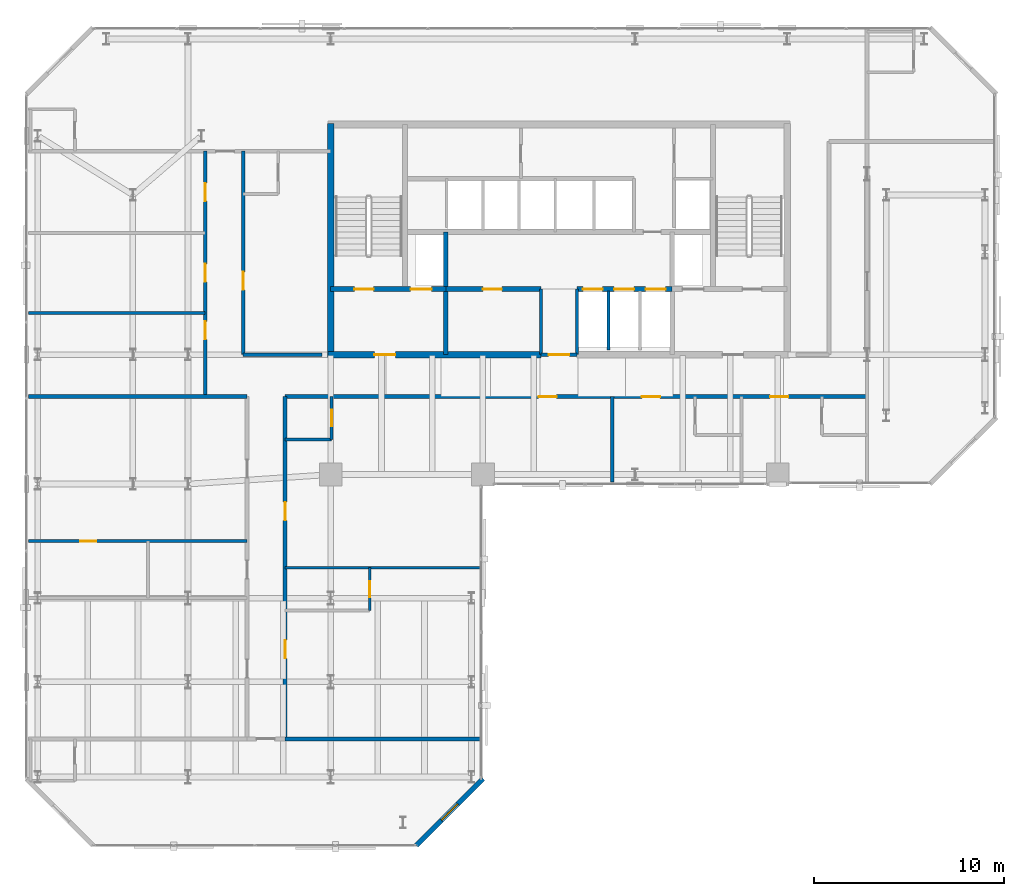
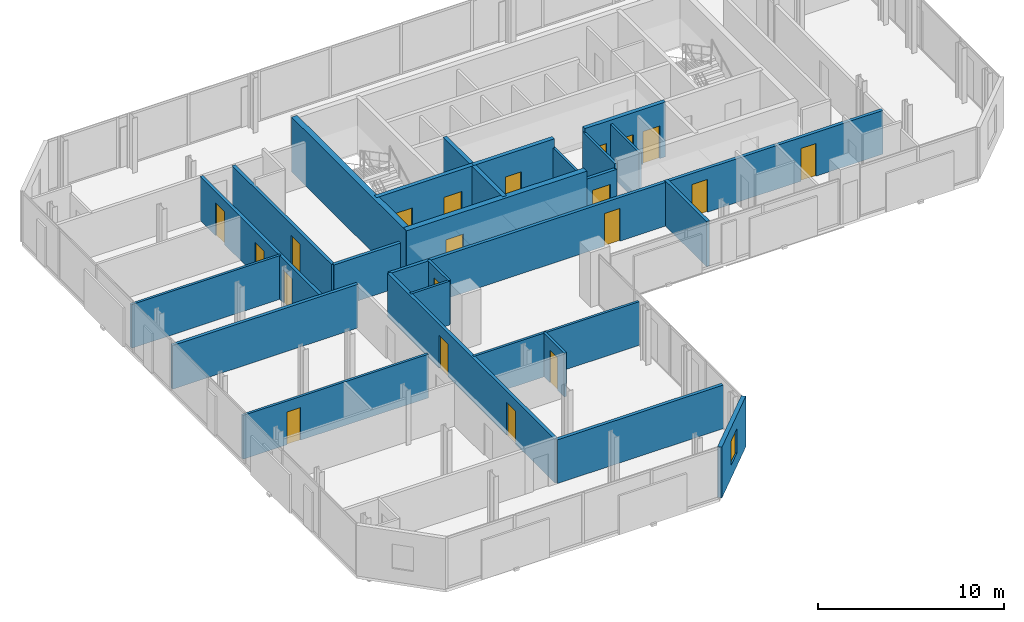
# One storey, part 28 of 33: 25 walls, 20 doors, 1 window, 21 openings.
"""IFC4 building model written with IfcOpenShell, lengths in metres."""

import ifcopenshell
import ifcopenshell.guid

model = None  # the IFC model being written
_history = None  # IfcOwnerHistory: only IFC2X3 demands one
_inside = {}  # id of a spatial element -> (the spatial element, [elements in it])
_under = {}  # id of a project, library or spatial element -> (it, [spatial elements below it])
_declared = {}  # id of a project -> (the project, [libraries it declares])
_typed = {}  # id of a type object -> (the type object, [elements of that type])
_made_of = {}  # id of a material, layer set ... -> (it, [elements and type objects made of it])


def new_model(schema):
    """Start an empty IFC model of exactly this schema.

    Asked for "IFC4X3", IfcOpenShell would pick the latest addendum, in which some entities
    have other attributes; the version numbers below select the first issue.
    IFC2X3 requires an IfcOwnerHistory on every rooted entity: one is made here for all.
    """
    global model, _history
    if schema == "IFC4X3":
        model = ifcopenshell.file(schema_version=(4, 3, 0, 0))
    else:
        model = ifcopenshell.file(schema=schema)
    _inside.clear()
    _under.clear()
    _declared.clear()
    _typed.clear()
    _made_of.clear()
    _history = None
    if model.schema == "IFC2X3":
        org = make("IfcOrganization", Name="unknown")
        user = make(
            "IfcPersonAndOrganization",
            ThePerson=make("IfcPerson", FamilyName="unknown"),
            TheOrganization=org,
        )
        app = make(
            "IfcApplication",
            ApplicationDeveloper=org,
            Version="unknown",
            ApplicationFullName="unknown",
            ApplicationIdentifier="unknown",
        )
        _history = make(
            "IfcOwnerHistory",
            OwningUser=user,
            OwningApplication=app,
            ChangeAction="ADDED",
            CreationDate=0,
        )
    return model


def make(cls, **values):
    """One entity of the class cls with the attributes given. An attribute that is None is left unset."""
    return model.create_entity(
        cls, **{name: value for name, value in values.items() if value is not None}
    )


def rooted(cls, **values):
    """An entity with a GlobalId (a new one), such as an element, a storey or a relation."""
    return make(cls, GlobalId=ifcopenshell.guid.new(), OwnerHistory=_history, **values)


def si_unit(unit_type, name, prefix=None):
    """IfcSIUnit, for example si_unit("LENGTHUNIT", "METRE", prefix="MILLI")."""
    return make("IfcSIUnit", UnitType=unit_type, Prefix=prefix, Name=name)


def assignment(units):
    """IfcUnitAssignment: the units of a project."""
    return None if units is None else make("IfcUnitAssignment", Units=units)


def point(xyz):
    """IfcCartesianPoint."""
    return None if xyz is None else make("IfcCartesianPoint", Coordinates=xyz)


def direction(xyz):
    """IfcDirection."""
    return None if xyz is None else make("IfcDirection", DirectionRatios=xyz)


def frame(location, z_axis=None, x_axis=None):
    """IfcAxis2Placement3D, a coordinate frame: its origin and axes. An axis left out is left unset."""
    return make(
        "IfcAxis2Placement3D",
        Location=point(location),
        Axis=direction(z_axis),
        RefDirection=direction(x_axis),
    )


def frame_2d(location, x_axis=None):
    """IfcAxis2Placement2D, a coordinate frame in the plane: its origin and x axis."""
    return make(
        "IfcAxis2Placement2D", Location=point(location), RefDirection=direction(x_axis)
    )


def origin():
    """The frame at (0, 0, 0) with its axes left unset."""
    return frame((0.0, 0.0, 0.0))


def place(relative_to, where):
    """IfcLocalPlacement: puts the frame where relative to a parent placement (None: the world)."""
    return make(
        "IfcLocalPlacement", PlacementRelTo=relative_to, RelativePlacement=where
    )


def context(
    kind, dimensions, precision=None, world=None, true_north=None, identifier=None
):
    """IfcGeometricRepresentationContext, for example the 3D "Model" context."""
    return make(
        "IfcGeometricRepresentationContext",
        ContextIdentifier=identifier,
        ContextType=kind,
        CoordinateSpaceDimension=dimensions,
        Precision=precision,
        WorldCoordinateSystem=world,
        TrueNorth=true_north,
    )


def subcontext(parent, identifier, kind, view, scale=None):
    """IfcGeometricRepresentationSubContext, for example "Body" below "Model"."""
    return make(
        "IfcGeometricRepresentationSubContext",
        ContextIdentifier=identifier,
        ContextType=kind,
        ParentContext=parent,
        TargetScale=scale,
        TargetView=view,
    )


def project(units=None, contexts=None):
    """IfcProject with its units and contexts."""
    return rooted(
        "IfcProject",
        Name="project",
        RepresentationContexts=contexts,
        UnitsInContext=assignment(units),
    )


def spatial(cls, under=None, at=None, **own):
    """A site, building, storey or space (cls), placed at a placement, below another one or the project."""
    s = rooted(cls, ObjectPlacement=at, **own)
    if under is not None:
        _under.setdefault(under.id(), (under, []))[1].append(s)
    return s


def profile(cls, at=None, kind="AREA", **sizes):
    """A parametric profile (cls). Its sizes go by their IFC names, for example OverallWidth=200.0."""
    return make(cls, ProfileType=kind, Position=at, **sizes)


def rectangle(**sizes):
    """IfcRectangleProfileDef."""
    return profile("IfcRectangleProfileDef", **sizes)


def extrude(swept, where, along, depth):
    """IfcExtrudedAreaSolid: the profile swept, set in the frame where, extruded along a direction by depth."""
    return make(
        "IfcExtrudedAreaSolid",
        SweptArea=swept,
        Position=where,
        ExtrudedDirection=direction(along),
        Depth=depth,
    )


def shape(context_of_items, identifier, shape_type, items):
    """IfcShapeRepresentation: the items that make up one representation, for example the "Body"."""
    return make(
        "IfcShapeRepresentation",
        ContextOfItems=context_of_items,
        RepresentationIdentifier=identifier,
        RepresentationType=shape_type,
        Items=items,
    )


def material(Name=None, Category=None):
    """IfcMaterial."""
    return make("IfcMaterial", Name=Name, Category=Category)


def layer(
    of_material, thickness, ventilated=None, Name=None, Category=None, Priority=None
):
    """IfcMaterialLayer: one layer of a wall or slab, of a material (None: an air gap)."""
    return make(
        "IfcMaterialLayer",
        Material=of_material,
        LayerThickness=thickness,
        IsVentilated=ventilated,
        Name=Name,
        Category=Category,
        Priority=Priority,
    )


def layer_set(layers, Name=None):
    """IfcMaterialLayerSet."""
    return make("IfcMaterialLayerSet", MaterialLayers=layers, LayerSetName=Name)


def made_of(thing, what):
    """Note that an element or type object is made of a material, layer set ...; save() writes the relation."""
    if what is not None:
        _made_of.setdefault(what.id(), (what, []))[1].append(thing)
    return thing


def type_object(cls, material=None, **own):
    """A type object (cls), such as IfcWallType, which elements share."""
    return made_of(rooted(cls, **own), material)


def element(
    cls,
    number,
    at=None,
    inside=None,
    cuts=None,
    type_object=None,
    material=None,
    context=None,
    identifier="Body",
    shape_type=None,
    held_by="IfcProductDefinitionShape",
    body=None,
    shapes=None,
    **own,
):
    """One element of the class cls, such as IfcWall. Its Tag is "e" and its number.

    at: its placement. inside: the storey or other place that contains it. cuts: it is an
    opening in that element (IfcRelVoidsElement). A single representation is given by context,
    identifier, shape_type and body (its items); several are given by shapes. held_by: the class
    of the entity that holds the representations. save() writes the other relations.
    """
    e = rooted(cls, Tag="e%d" % number, ObjectPlacement=at, **own)
    if body is not None:
        shapes = [shape(context, identifier, shape_type, body)]
    if shapes is not None:
        e.Representation = make(held_by, Representations=shapes)
    if inside is not None:
        _inside.setdefault(inside.id(), (inside, []))[1].append(e)
    if cuts is not None:
        rooted(
            "IfcRelVoidsElement", RelatingBuildingElement=cuts, RelatedOpeningElement=e
        )
    if type_object is not None:
        _typed.setdefault(type_object.id(), (type_object, []))[1].append(e)
    return made_of(e, material)


def fill(opening, filler):
    """IfcRelFillsElement: the door or window that sits in an opening."""
    return rooted(
        "IfcRelFillsElement",
        RelatingOpeningElement=opening,
        RelatedBuildingElement=filler,
    )


def aggregate(whole, parts):
    """IfcRelAggregates: a whole, such as a stair, and the parts it consists of."""
    return rooted("IfcRelAggregates", RelatingObject=whole, RelatedObjects=parts)


def save(model, path):
    """Write the relations noted so far, then the file.

    IfcRelAggregates (storeys below a building ...), IfcRelContainedInSpatialStructure (elements
    in a storey), IfcRelDefinesByType, IfcRelAssociatesMaterial and IfcRelDeclares: one each for
    every whole, place, type object, material and project.
    """
    for whole, parts in _under.values():
        aggregate(whole, parts)
    for where, things in _inside.values():
        rooted(
            "IfcRelContainedInSpatialStructure",
            RelatedElements=things,
            RelatingStructure=where,
        )
    for kind, things in _typed.values():
        rooted("IfcRelDefinesByType", RelatedObjects=things, RelatingType=kind)
    for what, things in _made_of.values():
        rooted("IfcRelAssociatesMaterial", RelatedObjects=things, RelatingMaterial=what)
    for by, libraries in _declared.values():
        rooted("IfcRelDeclares", RelatingContext=by, RelatedDefinitions=libraries)
    model.write(path)


model = new_model("IFC4")

# Units and contexts
model_context = context("Model", 3, precision=1e-05, world=origin(), true_north=direction((0.0, 1.0)))
body_context = subcontext(model_context, "Body", "Model", "MODEL_VIEW")
ifc_project = project(units=[si_unit("LENGTHUNIT", "METRE"), si_unit("AREAUNIT", "SQUARE_METRE"), si_unit("VOLUMEUNIT", "CUBIC_METRE"), si_unit("PLANEANGLEUNIT", "RADIAN"), si_unit("MASSUNIT", "GRAM", prefix="KILO")], contexts=[model_context])

# Site, building, storey
site_placement = place(None, origin())
site = spatial("IfcSite", under=ifc_project, at=site_placement, CompositionType="ELEMENT")
building_placement = place(site_placement, origin())
building = spatial("IfcBuilding", under=site, at=building_placement, Name="Catumbela Crestline Tower", CompositionType="ELEMENT")
storey_placement = place(building_placement, frame((0.0, 0.0, 118.8)))
storey = spatial("IfcBuildingStorey", under=building, at=storey_placement, Name="L30", CompositionType="ELEMENT", Elevation=118.8)

# Wall
ifc_material_1 = material(Name="Concrete C50/60", Category="concrete")
ifc_layer_1 = layer(ifc_material_1, 0.25, Name="Concrete C50/60")
ifc_layer_set_1 = layer_set([ifc_layer_1], Name="Concrete C50/60")
wall_type_1 = type_object("IfcWallType", Name="CW-250D", PredefinedType="SHEAR", material=ifc_layer_set_1)
wall_1_placement = place(storey_placement, frame((22.05, 30.8, 0.0), z_axis=(0.0, 0.0, 1.0), x_axis=(0.0, 1.0, 0.0)))
element("IfcWall", 1, at=wall_1_placement, inside=storey, type_object=wall_type_1, Name="L30 Structural Core Shear Wall FFW", PredefinedType="SHEAR", context=body_context, shape_type="SweptSolid", body=[
    extrude(rectangle(XDim=6.45, YDim=0.25, at=frame_2d((3.225, 0.0))), origin(), (0.0, 0.0, 1.0), 3.6),
])

# Wall, openings, doors
wall_2_placement = place(storey_placement, frame((16.0, 34.25, 0.0), z_axis=(0.0, 0.0, 1.0), x_axis=(1.0, 0.0, 0.0)))
wall_2 = element("IfcWall", 2, at=wall_2_placement, inside=storey, type_object=wall_type_1, Name="L30 Structural Core Shear Wall ST1S", PredefinedType="SHEAR", context=body_context, shape_type="SweptSolid", body=[
    extrude(rectangle(XDim=6.05, YDim=0.25, at=frame_2d((3.025, 0.0))), origin(), (0.0, 0.0, 1.0), 3.6),
])
opening_1_placement = place(wall_2_placement, frame((1.25, 0.0, 0.0)))
opening_1 = element("IfcOpeningElement", 3, at=opening_1_placement, cuts=wall_2, Name="Opening DF9-100", PredefinedType="OPENING", context=body_context, shape_type="SweptSolid", body=[
    extrude(rectangle(XDim=1.0, YDim=2.15, at=frame_2d((0.5, 1.075))), frame((0.0, 0.135, 0.0), z_axis=(0.0, -1.0, 0.0), x_axis=(1.0, 0.0, 0.0)), (0.0, 0.0, 1.0), 0.27),
])
opening_2_placement = place(wall_2_placement, frame((4.2, 0.0, 0.0)))
opening_2 = element("IfcOpeningElement", 4, at=opening_2_placement, cuts=wall_2, Name="Opening LD-110", PredefinedType="OPENING", context=body_context, shape_type="SweptSolid", body=[
    extrude(rectangle(XDim=1.1, YDim=2.15, at=frame_2d((0.55, 1.075))), frame((0.0, 0.135, 0.0), z_axis=(0.0, -1.0, 0.0), x_axis=(1.0, 0.0, 0.0)), (0.0, 0.0, 1.0), 0.27),
])
ifc_material_2 = material(Name="Stainless steel EN 1.4401", Category="steel")
door_type_1 = type_object("IfcDoorType", Name="DF9-100", OperationType="NOTDEFINED", PredefinedType="DOOR", material=ifc_material_2)
door_1_placement = place(opening_1_placement, origin())
door_1 = element("IfcDoor", 5, at=door_1_placement, inside=storey, type_object=door_type_1, Name="L30 Interior Door DR-L30-ST01", OperationType="SINGLE_SWING_LEFT", OverallHeight=2.15, OverallWidth=1.0, PredefinedType="DOOR", context=body_context, shape_type="SweptSolid", body=[
    extrude(rectangle(XDim=1.0, YDim=2.15, at=frame_2d((0.5, 1.075))), frame((0.0, 0.025, 0.0), z_axis=(0.0, -1.0, 0.0), x_axis=(1.0, 0.0, 0.0)), (0.0, 0.0, 1.0), 0.05),
])
fill(opening_1, door_1)
door_type_2 = type_object("IfcDoorType", Name="LD-110", OperationType="NOTDEFINED", PredefinedType="DOOR", material=ifc_material_2)
door_2_placement = place(opening_2_placement, origin())
door_2 = element("IfcDoor", 6, at=door_2_placement, inside=storey, type_object=door_type_2, Name="L30 Lift Landing Sliding Door FL-01", OperationType="DOUBLE_DOOR_SLIDING", OverallHeight=2.15, OverallWidth=1.1, PredefinedType="DOOR", context=body_context, shape_type="SweptSolid", body=[
    extrude(rectangle(XDim=1.1, YDim=2.15, at=frame_2d((0.55, 1.075))), frame((0.0, 0.025, 0.0), z_axis=(0.0, -1.0, 0.0), x_axis=(1.0, 0.0, 0.0)), (0.0, 0.0, 1.0), 0.05),
])
fill(opening_2, door_2)

# Wall, opening, door
wall_3_placement = place(storey_placement, frame((22.05, 34.25, 0.0), z_axis=(0.0, 0.0, 1.0), x_axis=(1.0, 0.0, 0.0)))
wall_3 = element("IfcWall", 7, at=wall_3_placement, inside=storey, type_object=wall_type_1, Name="L30 Structural Core Shear Wall LIFTS-W", PredefinedType="SHEAR", context=body_context, shape_type="SweptSolid", body=[
    extrude(rectangle(XDim=5.0, YDim=0.25, at=frame_2d((2.5, 0.0))), origin(), (0.0, 0.0, 1.0), 3.6),
])
opening_3_placement = place(wall_3_placement, frame((1.95, 0.0, 0.0)))
opening_3 = element("IfcOpeningElement", 8, at=opening_3_placement, cuts=wall_3, Name="Opening DF9-100", PredefinedType="OPENING", context=body_context, shape_type="SweptSolid", body=[
    extrude(rectangle(XDim=1.0, YDim=2.15, at=frame_2d((0.5, 1.075))), frame((0.0, 0.135, 0.0), z_axis=(0.0, -1.0, 0.0), x_axis=(1.0, 0.0, 0.0)), (0.0, 0.0, 1.0), 0.27),
])
door_3_placement = place(opening_3_placement, origin())
door_3 = element("IfcDoor", 9, at=door_3_placement, inside=storey, type_object=door_type_1, Name="L30 Interior Door DR-L30-RECL1", OperationType="SINGLE_SWING_LEFT", OverallHeight=2.15, OverallWidth=1.0, PredefinedType="DOOR", context=body_context, shape_type="SweptSolid", body=[
    extrude(rectangle(XDim=1.0, YDim=2.15, at=frame_2d((0.5, 1.075))), frame((0.0, 0.025, 0.0), z_axis=(0.0, -1.0, 0.0), x_axis=(1.0, 0.0, 0.0)), (0.0, 0.0, 1.0), 0.05),
])
fill(opening_3, door_3)

# Wall, openings, doors
wall_4_placement = place(storey_placement, frame((28.95, 34.25, 0.0), z_axis=(0.0, 0.0, 1.0), x_axis=(1.0, 0.0, 0.0)))
wall_4 = element("IfcWall", 10, at=wall_4_placement, inside=storey, type_object=wall_type_1, Name="L30 Structural Core Shear Wall LIFTS-E", PredefinedType="SHEAR", context=body_context, shape_type="SweptSolid", body=[
    extrude(rectangle(XDim=5.0, YDim=0.25, at=frame_2d((2.5, 0.0))), origin(), (0.0, 0.0, 1.0), 3.6),
])
opening_4_placement = place(wall_4_placement, frame((0.3, 0.0, 0.0)))
opening_4 = element("IfcOpeningElement", 11, at=opening_4_placement, cuts=wall_4, Name="Opening LD-105", PredefinedType="OPENING", context=body_context, shape_type="SweptSolid", body=[
    extrude(rectangle(XDim=1.05, YDim=2.15, at=frame_2d((0.525, 1.075))), frame((0.0, 0.135, 0.0), z_axis=(0.0, -1.0, 0.0), x_axis=(1.0, 0.0, 0.0)), (0.0, 0.0, 1.0), 0.27),
])
opening_5_placement = place(wall_4_placement, frame((1.95, 0.0, 0.0)))
opening_5 = element("IfcOpeningElement", 12, at=opening_5_placement, cuts=wall_4, Name="Opening LD-105", PredefinedType="OPENING", context=body_context, shape_type="SweptSolid", body=[
    extrude(rectangle(XDim=1.05, YDim=2.15, at=frame_2d((0.525, 1.075))), frame((0.0, 0.135, 0.0), z_axis=(0.0, -1.0, 0.0), x_axis=(1.0, 0.0, 0.0)), (0.0, 0.0, 1.0), 0.27),
])
opening_6_placement = place(wall_4_placement, frame((3.6, 0.0, 0.0)))
opening_6 = element("IfcOpeningElement", 13, at=opening_6_placement, cuts=wall_4, Name="Opening LD-105", PredefinedType="OPENING", context=body_context, shape_type="SweptSolid", body=[
    extrude(rectangle(XDim=1.05, YDim=2.15, at=frame_2d((0.525, 1.075))), frame((0.0, 0.135, 0.0), z_axis=(0.0, -1.0, 0.0), x_axis=(1.0, 0.0, 0.0)), (0.0, 0.0, 1.0), 0.27),
])
door_type_3 = type_object("IfcDoorType", Name="LD-105", OperationType="NOTDEFINED", PredefinedType="DOOR", material=ifc_material_2)
door_4_placement = place(opening_4_placement, origin())
door_4 = element("IfcDoor", 14, at=door_4_placement, inside=storey, type_object=door_type_3, Name="L30 Lift Landing Sliding Door PL-M1", OperationType="DOUBLE_DOOR_SLIDING", OverallHeight=2.15, OverallWidth=1.05, PredefinedType="DOOR", context=body_context, shape_type="SweptSolid", body=[
    extrude(rectangle(XDim=1.05, YDim=2.15, at=frame_2d((0.525, 1.075))), frame((0.0, 0.025, 0.0), z_axis=(0.0, -1.0, 0.0), x_axis=(1.0, 0.0, 0.0)), (0.0, 0.0, 1.0), 0.05),
])
fill(opening_4, door_4)
door_5_placement = place(opening_5_placement, origin())
door_5 = element("IfcDoor", 15, at=door_5_placement, inside=storey, type_object=door_type_3, Name="L30 Lift Landing Sliding Door PL-M2", OperationType="DOUBLE_DOOR_SLIDING", OverallHeight=2.15, OverallWidth=1.05, PredefinedType="DOOR", context=body_context, shape_type="SweptSolid", body=[
    extrude(rectangle(XDim=1.05, YDim=2.15, at=frame_2d((0.525, 1.075))), frame((0.0, 0.025, 0.0), z_axis=(0.0, -1.0, 0.0), x_axis=(1.0, 0.0, 0.0)), (0.0, 0.0, 1.0), 0.05),
])
fill(opening_5, door_5)
door_6_placement = place(opening_6_placement, origin())
door_6 = element("IfcDoor", 16, at=door_6_placement, inside=storey, type_object=door_type_3, Name="L30 Lift Landing Sliding Door PL-M3", OperationType="DOUBLE_DOOR_SLIDING", OverallHeight=2.15, OverallWidth=1.05, PredefinedType="DOOR", context=body_context, shape_type="SweptSolid", body=[
    extrude(rectangle(XDim=1.05, YDim=2.15, at=frame_2d((0.525, 1.075))), frame((0.0, 0.025, 0.0), z_axis=(0.0, -1.0, 0.0), x_axis=(1.0, 0.0, 0.0)), (0.0, 0.0, 1.0), 0.05),
])
fill(opening_6, door_6)

# Wall
ifc_layer_2 = layer(ifc_material_1, 0.35, Name="Concrete C50/60")
ifc_layer_set_2 = layer_set([ifc_layer_2], Name="Concrete C50/60")
wall_type_2 = type_object("IfcWallType", Name="CW-350B", PredefinedType="SHEAR", material=ifc_layer_set_2)
wall_5_placement = place(storey_placement, frame((16.0, 30.65, 0.0), z_axis=(0.0, 0.0, 1.0), x_axis=(0.0, 1.0, 0.0)))
element("IfcWall", 17, at=wall_5_placement, inside=storey, type_object=wall_type_2, Name="L30 Structural Core Shear Wall W", PredefinedType="SHEAR", context=body_context, shape_type="SweptSolid", body=[
    extrude(rectangle(XDim=12.3, YDim=0.35, at=frame_2d((6.15, 0.0))), origin(), (0.0, 0.0, 1.0), 3.6),
])

# Wall, opening, door
wall_6_placement = place(storey_placement, frame((15.85, 30.8, 0.0), z_axis=(0.0, 0.0, 1.0), x_axis=(1.0, 0.0, 0.0)))
wall_6 = element("IfcWall", 18, at=wall_6_placement, inside=storey, type_object=wall_type_2, Name="L30 Structural Core Shear Wall SW", PredefinedType="SHEAR", context=body_context, shape_type="SweptSolid", body=[
    extrude(rectangle(XDim=11.2, YDim=0.35, at=frame_2d((5.6, 0.0))), origin(), (0.0, 0.0, 1.0), 3.6),
])
opening_7_placement = place(wall_6_placement, frame((2.45, 0.0, 0.0)))
opening_7 = element("IfcOpeningElement", 19, at=opening_7_placement, cuts=wall_6, Name="Opening DF9-110", PredefinedType="OPENING", context=body_context, shape_type="SweptSolid", body=[
    extrude(rectangle(XDim=1.1, YDim=2.15, at=frame_2d((0.55, 1.075))), frame((0.0, 0.185, 0.0), z_axis=(0.0, -1.0, 0.0), x_axis=(1.0, 0.0, 0.0)), (0.0, 0.0, 1.0), 0.37),
])
door_type_4 = type_object("IfcDoorType", Name="DF9-110", OperationType="NOTDEFINED", PredefinedType="DOOR", material=ifc_material_2)
door_7_placement = place(opening_7_placement, origin())
door_7 = element("IfcDoor", 20, at=door_7_placement, inside=storey, type_object=door_type_4, Name="L30 Interior Door DR-L30-FFW-S", OperationType="SINGLE_SWING_LEFT", OverallHeight=2.15, OverallWidth=1.1, PredefinedType="DOOR", context=body_context, shape_type="SweptSolid", body=[
    extrude(rectangle(XDim=1.1, YDim=2.15, at=frame_2d((0.55, 1.075))), frame((0.0, 0.025, 0.0), z_axis=(0.0, -1.0, 0.0), x_axis=(1.0, 0.0, 0.0)), (0.0, 0.0, 1.0), 0.05),
])
fill(opening_7, door_7)

ifc_material_3 = material(Name="Acoustic gypsum and mineral-wool partition")
ifc_layer_3 = layer(ifc_material_3, 0.2, Name="Acoustic gypsum and mineral-wool partition")
ifc_layer_set_3 = layer_set([ifc_layer_3], Name="Acoustic gypsum and mineral-wool partition")
wall_type_3 = type_object("IfcWallType", Name="WC-200", PredefinedType="PARTITIONING", material=ifc_layer_set_3)
wall_7_placement = place(storey_placement, frame((27.05, 30.8, 0.0), z_axis=(0.0, 0.0, 1.0), x_axis=(1.0, 0.0, 0.0)))
wall_7 = element("IfcWall", 21, at=wall_7_placement, inside=storey, type_object=wall_type_3, Name="L30 Interior Partition PW-L30-CLOBS", PredefinedType="PARTITIONING", context=body_context, shape_type="SweptSolid", body=[
    extrude(rectangle(XDim=1.9, YDim=0.2, at=frame_2d((0.95, 0.0))), origin(), (0.0, 0.0, 1.0), 3.01),
])
opening_8_placement = place(wall_7_placement, frame((0.4, 0.0, 0.0)))
opening_8 = element("IfcOpeningElement", 22, at=opening_8_placement, cuts=wall_7, Name="Opening DF9-110", PredefinedType="OPENING", context=body_context, shape_type="SweptSolid", body=[
    extrude(rectangle(XDim=1.1, YDim=2.15, at=frame_2d((0.55, 1.075))), frame((0.0, 0.11, 0.0), z_axis=(0.0, -1.0, 0.0), x_axis=(1.0, 0.0, 0.0)), (0.0, 0.0, 1.0), 0.22),
])
door_8_placement = place(opening_8_placement, origin())
door_8 = element("IfcDoor", 23, at=door_8_placement, inside=storey, type_object=door_type_4, Name="L30 Interior Door DR-L30-CLOBS", OperationType="SINGLE_SWING_LEFT", OverallHeight=2.15, OverallWidth=1.1, PredefinedType="DOOR", context=body_context, shape_type="SweptSolid", body=[
    extrude(rectangle(XDim=1.1, YDim=2.15, at=frame_2d((0.55, 1.075))), frame((0.0, 0.025, 0.0), z_axis=(0.0, -1.0, 0.0), x_axis=(1.0, 0.0, 0.0)), (0.0, 0.0, 1.0), 0.05),
])
fill(opening_8, door_8)

# Wall
wall_8_placement = place(storey_placement, frame((0.1, 28.6, 0.0), z_axis=(0.0, 0.0, 1.0), x_axis=(1.0, 0.0, 0.0)))
element("IfcWall", 24, at=wall_8_placement, inside=storey, type_object=wall_type_3, Name="L30 Interior Partition PW-L30-Z2CW-N1", PredefinedType="PARTITIONING", context=body_context, shape_type="SweptSolid", body=[
    extrude(rectangle(XDim=11.5, YDim=0.2, at=frame_2d((5.75, 0.0))), origin(), (0.0, 0.0, 1.0), 2.87),
])

# Wall, openings, doors
wall_9_placement = place(storey_placement, frame((13.6, 28.6, 0.0), z_axis=(0.0, 0.0, 1.0), x_axis=(1.0, 0.0, 0.0)))
wall_9 = element("IfcWall", 25, at=wall_9_placement, inside=storey, type_object=wall_type_3, Name="L30 Interior Partition PW-L30-Z2CW-N2", PredefinedType="PARTITIONING", context=body_context, shape_type="SweptSolid", body=[
    extrude(rectangle(XDim=30.6, YDim=0.2, at=frame_2d((15.3, 0.0))), origin(), (0.0, 0.0, 1.0), 2.87),
])
opening_9_placement = place(wall_9_placement, frame((13.325, 0.0, 0.0)))
opening_9 = element("IfcOpeningElement", 26, at=opening_9_placement, cuts=wall_9, Name="Opening DF6-095", PredefinedType="OPENING", context=body_context, shape_type="SweptSolid", body=[
    extrude(rectangle(XDim=0.95, YDim=2.15, at=frame_2d((0.475, 1.075))), frame((0.0, 0.11, 0.0), z_axis=(0.0, -1.0, 0.0), x_axis=(1.0, 0.0, 0.0)), (0.0, 0.0, 1.0), 0.22),
])
opening_10_placement = place(wall_9_placement, frame((18.7609, 0.0, 0.0)))
opening_10 = element("IfcOpeningElement", 27, at=opening_10_placement, cuts=wall_9, Name="Opening DF6-095", PredefinedType="OPENING", context=body_context, shape_type="SweptSolid", body=[
    extrude(rectangle(XDim=0.95, YDim=2.15, at=frame_2d((0.475, 1.075))), frame((0.0, 0.11, 0.0), z_axis=(0.0, -1.0, 0.0), x_axis=(1.0, 0.0, 0.0)), (0.0, 0.0, 1.0), 0.22),
])
opening_11_placement = place(wall_9_placement, frame((25.5033, 0.0, 0.0)))
opening_11 = element("IfcOpeningElement", 28, at=opening_11_placement, cuts=wall_9, Name="Opening DF6-095", PredefinedType="OPENING", context=body_context, shape_type="SweptSolid", body=[
    extrude(rectangle(XDim=0.95, YDim=2.15, at=frame_2d((0.475, 1.075))), frame((0.0, 0.11, 0.0), z_axis=(0.0, -1.0, 0.0), x_axis=(1.0, 0.0, 0.0)), (0.0, 0.0, 1.0), 0.22),
])
ifc_material_4 = material(Name="Aluminium alloy AW-6060-T66", Category="aluminium")
door_type_5 = type_object("IfcDoorType", Name="DF6-095", OperationType="NOTDEFINED", PredefinedType="DOOR", material=ifc_material_4)
door_9_placement = place(opening_9_placement, origin())
door_9 = element("IfcDoor", 29, at=door_9_placement, inside=storey, type_object=door_type_5, Name="L30 Interior Door DR-L30-SS1-ENT", OperationType="SINGLE_SWING_RIGHT", OverallHeight=2.15, OverallWidth=0.95, PredefinedType="DOOR", context=body_context, shape_type="SweptSolid", body=[
    extrude(rectangle(XDim=0.95, YDim=2.15, at=frame_2d((0.475, 1.075))), frame((0.0, 0.025, 0.0), z_axis=(0.0, -1.0, 0.0), x_axis=(1.0, 0.0, 0.0)), (0.0, 0.0, 1.0), 0.05),
])
fill(opening_9, door_9)
door_10_placement = place(opening_10_placement, origin())
door_10 = element("IfcDoor", 30, at=door_10_placement, inside=storey, type_object=door_type_5, Name="L30 Interior Door DR-L30-SS2-ENT", OperationType="SINGLE_SWING_LEFT", OverallHeight=2.15, OverallWidth=0.95, PredefinedType="DOOR", context=body_context, shape_type="SweptSolid", body=[
    extrude(rectangle(XDim=0.95, YDim=2.15, at=frame_2d((0.475, 1.075))), frame((0.0, 0.025, 0.0), z_axis=(0.0, -1.0, 0.0), x_axis=(1.0, 0.0, 0.0)), (0.0, 0.0, 1.0), 0.05),
])
fill(opening_10, door_10)
door_11_placement = place(opening_11_placement, origin())
door_11 = element("IfcDoor", 31, at=door_11_placement, inside=storey, type_object=door_type_5, Name="L30 Interior Door DR-L30-SS3-ENT", OperationType="SINGLE_SWING_RIGHT", OverallHeight=2.15, OverallWidth=0.95, PredefinedType="DOOR", context=body_context, shape_type="SweptSolid", body=[
    extrude(rectangle(XDim=0.95, YDim=2.15, at=frame_2d((0.475, 1.075))), frame((0.0, 0.025, 0.0), z_axis=(0.0, -1.0, 0.0), x_axis=(1.0, 0.0, 0.0)), (0.0, 0.0, 1.0), 0.05),
])
fill(opening_11, door_11)

# Wall
wall_10_placement = place(storey_placement, frame((11.4, 30.8, 0.0), z_axis=(0.0, 0.0, 1.0), x_axis=(1.0, 0.0, 0.0)))
element("IfcWall", 32, at=wall_10_placement, inside=storey, type_object=wall_type_3, Name="L30 Interior Partition PW-L30-Z2CW-N3", PredefinedType="PARTITIONING", context=body_context, shape_type="SweptSolid", body=[
    extrude(rectangle(XDim=4.13, YDim=0.2, at=frame_2d((2.065, 0.0))), origin(), (0.0, 0.0, 1.0), 2.87),
])

# Wall, openings, doors
wall_11_placement = place(storey_placement, frame((9.4, 28.6, 0.0), z_axis=(0.0, 0.0, 1.0), x_axis=(0.0, 1.0, 0.0)))
wall_11 = element("IfcWall", 33, at=wall_11_placement, inside=storey, type_object=wall_type_3, Name="L30 Interior Partition PW-L30-Z2AS1-ENT", PredefinedType="PARTITIONING", context=body_context, shape_type="SweptSolid", body=[
    extrude(rectangle(XDim=12.9, YDim=0.2, at=frame_2d((6.45, 0.0))), origin(), (0.0, 0.0, 1.0), 2.87),
])
opening_12_placement = place(wall_11_placement, frame((3.005, 0.0, 0.0)))
opening_12 = element("IfcOpeningElement", 34, at=opening_12_placement, cuts=wall_11, Name="Opening DF6-095", PredefinedType="OPENING", context=body_context, shape_type="SweptSolid", body=[
    extrude(rectangle(XDim=0.95, YDim=2.15, at=frame_2d((0.475, 1.075))), frame((0.0, 0.11, 0.0), z_axis=(0.0, -1.0, 0.0), x_axis=(1.0, 0.0, 0.0)), (0.0, 0.0, 1.0), 0.22),
])
opening_13_placement = place(wall_11_placement, frame((6.025, 0.0, 0.0)))
opening_13 = element("IfcOpeningElement", 35, at=opening_13_placement, cuts=wall_11, Name="Opening DF6-095", PredefinedType="OPENING", context=body_context, shape_type="SweptSolid", body=[
    extrude(rectangle(XDim=0.95, YDim=2.15, at=frame_2d((0.475, 1.075))), frame((0.0, 0.11, 0.0), z_axis=(0.0, -1.0, 0.0), x_axis=(1.0, 0.0, 0.0)), (0.0, 0.0, 1.0), 0.22),
])
opening_14_placement = place(wall_11_placement, frame((10.275, 0.0, 0.0)))
opening_14 = element("IfcOpeningElement", 36, at=opening_14_placement, cuts=wall_11, Name="Opening DF6-095", PredefinedType="OPENING", context=body_context, shape_type="SweptSolid", body=[
    extrude(rectangle(XDim=0.95, YDim=2.15, at=frame_2d((0.475, 1.075))), frame((0.0, 0.11, 0.0), z_axis=(0.0, -1.0, 0.0), x_axis=(1.0, 0.0, 0.0)), (0.0, 0.0, 1.0), 0.22),
])
door_12_placement = place(opening_12_placement, origin())
door_12 = element("IfcDoor", 37, at=door_12_placement, inside=storey, type_object=door_type_5, Name="L30 Interior Door DR-L30-Z2AS1-ENT", OperationType="SINGLE_SWING_RIGHT", OverallHeight=2.15, OverallWidth=0.95, PredefinedType="DOOR", context=body_context, shape_type="SweptSolid", body=[
    extrude(rectangle(XDim=0.95, YDim=2.15, at=frame_2d((0.475, 1.075))), frame((0.0, 0.025, 0.0), z_axis=(0.0, -1.0, 0.0), x_axis=(1.0, 0.0, 0.0)), (0.0, 0.0, 1.0), 0.05),
])
fill(opening_12, door_12)
door_13_placement = place(opening_13_placement, origin())
door_13 = element("IfcDoor", 38, at=door_13_placement, inside=storey, type_object=door_type_5, Name="L30 Interior Door DR-L30-Z2MB1-ENT", OperationType="SINGLE_SWING_LEFT", OverallHeight=2.15, OverallWidth=0.95, PredefinedType="DOOR", context=body_context, shape_type="SweptSolid", body=[
    extrude(rectangle(XDim=0.95, YDim=2.15, at=frame_2d((0.475, 1.075))), frame((0.0, 0.025, 0.0), z_axis=(0.0, -1.0, 0.0), x_axis=(1.0, 0.0, 0.0)), (0.0, 0.0, 1.0), 0.05),
])
fill(opening_13, door_13)
door_14_placement = place(opening_14_placement, origin())
door_14 = element("IfcDoor", 39, at=door_14_placement, inside=storey, type_object=door_type_5, Name="L30 Interior Door DR-L30-Z2EX1-ENT", OperationType="SINGLE_SWING_LEFT", OverallHeight=2.15, OverallWidth=0.95, PredefinedType="DOOR", context=body_context, shape_type="SweptSolid", body=[
    extrude(rectangle(XDim=0.95, YDim=2.15, at=frame_2d((0.475, 1.075))), frame((0.0, 0.025, 0.0), z_axis=(0.0, -1.0, 0.0), x_axis=(1.0, 0.0, 0.0)), (0.0, 0.0, 1.0), 0.05),
])
fill(opening_14, door_14)

# Wall, opening, door
wall_12_placement = place(storey_placement, frame((11.4, 30.8, 0.0), z_axis=(0.0, 0.0, 1.0), x_axis=(0.0, 1.0, 0.0)))
wall_12 = element("IfcWall", 40, at=wall_12_placement, inside=storey, type_object=wall_type_3, Name="L30 Interior Partition PW-L30-Z2FS1-ENT", PredefinedType="PARTITIONING", context=body_context, shape_type="SweptSolid", body=[
    extrude(rectangle(XDim=10.7, YDim=0.2, at=frame_2d((5.35, 0.0))), origin(), (0.0, 0.0, 1.0), 2.87),
])
opening_15_placement = place(wall_12_placement, frame((3.405, 0.0, 0.0)))
opening_15 = element("IfcOpeningElement", 41, at=opening_15_placement, cuts=wall_12, Name="Opening DF6-095", PredefinedType="OPENING", context=body_context, shape_type="SweptSolid", body=[
    extrude(rectangle(XDim=0.95, YDim=2.15, at=frame_2d((0.475, 1.075))), frame((0.0, 0.11, 0.0), z_axis=(0.0, -1.0, 0.0), x_axis=(1.0, 0.0, 0.0)), (0.0, 0.0, 1.0), 0.22),
])
door_15_placement = place(opening_15_placement, origin())
door_15 = element("IfcDoor", 42, at=door_15_placement, inside=storey, type_object=door_type_5, Name="L30 Interior Door DR-L30-Z2FS1-ENT", OperationType="SINGLE_SWING_LEFT", OverallHeight=2.15, OverallWidth=0.95, PredefinedType="DOOR", context=body_context, shape_type="SweptSolid", body=[
    extrude(rectangle(XDim=0.95, YDim=2.15, at=frame_2d((0.475, 1.075))), frame((0.0, 0.025, 0.0), z_axis=(0.0, -1.0, 0.0), x_axis=(1.0, 0.0, 0.0)), (0.0, 0.0, 1.0), 0.05),
])
fill(opening_15, door_15)

# Wall, openings, doors
wall_13_placement = place(storey_placement, frame((13.6, 10.6, 0.0), z_axis=(0.0, 0.0, 1.0), x_axis=(0.0, 1.0, 0.0)))
wall_13 = element("IfcWall", 43, at=wall_13_placement, inside=storey, type_object=wall_type_3, Name="L30 Interior Partition PW-L30-SW1-ENT", PredefinedType="PARTITIONING", context=body_context, shape_type="SweptSolid", body=[
    extrude(rectangle(XDim=18.0, YDim=0.2, at=frame_2d((9.0, 0.0))), origin(), (0.0, 0.0, 1.0), 2.87),
])
opening_16_placement = place(wall_13_placement, frame((4.24, 0.0, 0.0)))
opening_16 = element("IfcOpeningElement", 44, at=opening_16_placement, cuts=wall_13, Name="Opening DF6-095", PredefinedType="OPENING", context=body_context, shape_type="SweptSolid", body=[
    extrude(rectangle(XDim=0.95, YDim=2.15, at=frame_2d((0.475, 1.075))), frame((0.0, 0.11, 0.0), z_axis=(0.0, -1.0, 0.0), x_axis=(1.0, 0.0, 0.0)), (0.0, 0.0, 1.0), 0.22),
])
opening_17_placement = place(wall_13_placement, frame((11.4941, 0.0, 0.0)))
opening_17 = element("IfcOpeningElement", 45, at=opening_17_placement, cuts=wall_13, Name="Opening DF6-095", PredefinedType="OPENING", context=body_context, shape_type="SweptSolid", body=[
    extrude(rectangle(XDim=0.95, YDim=2.15, at=frame_2d((0.475, 1.075))), frame((0.0, 0.11, 0.0), z_axis=(0.0, -1.0, 0.0), x_axis=(1.0, 0.0, 0.0)), (0.0, 0.0, 1.0), 0.22),
])
door_16_placement = place(opening_16_placement, origin())
door_16 = element("IfcDoor", 46, at=door_16_placement, inside=storey, type_object=door_type_5, Name="L30 Interior Door DR-L30-SW1-ENT", OperationType="SINGLE_SWING_RIGHT", OverallHeight=2.15, OverallWidth=0.95, PredefinedType="DOOR", context=body_context, shape_type="SweptSolid", body=[
    extrude(rectangle(XDim=0.95, YDim=2.15, at=frame_2d((0.475, 1.075))), frame((0.0, 0.025, 0.0), z_axis=(0.0, -1.0, 0.0), x_axis=(1.0, 0.0, 0.0)), (0.0, 0.0, 1.0), 0.05),
])
fill(opening_16, door_16)
door_17_placement = place(opening_17_placement, origin())
door_17 = element("IfcDoor", 47, at=door_17_placement, inside=storey, type_object=door_type_5, Name="L30 Interior Door DR-L30-SW2-ENT", OperationType="SINGLE_SWING_LEFT", OverallHeight=2.15, OverallWidth=0.95, PredefinedType="DOOR", context=body_context, shape_type="SweptSolid", body=[
    extrude(rectangle(XDim=0.95, YDim=2.15, at=frame_2d((0.475, 1.075))), frame((0.0, 0.025, 0.0), z_axis=(0.0, -1.0, 0.0), x_axis=(1.0, 0.0, 0.0)), (0.0, 0.0, 1.0), 0.05),
])
fill(opening_17, door_17)

# Wall, opening, window
ifc_material_5 = material(Name="Angolan grey-ochre granite", Category="masonry")
ifc_layer_4 = layer(ifc_material_5, 0.25, Name="Angolan grey-ochre granite")
ifc_layer_set_4 = layer_set([ifc_layer_4], Name="Angolan grey-ochre granite")
wall_type_4 = type_object("IfcWallType", Name="WE-250", PredefinedType="STANDARD", material=ifc_layer_set_4)
wall_14_placement = place(storey_placement, frame((20.5, 5.0, 0.0), z_axis=(0.0, 0.0, 1.0), x_axis=(0.707106781187, 0.707106781187, 0.0)))
wall_14 = element("IfcWall", 48, at=wall_14_placement, inside=storey, type_object=wall_type_4, Name="L30 Granite Punched Window Wall 1-1", PredefinedType="STANDARD", context=body_context, shape_type="SweptSolid", body=[
    extrude(rectangle(XDim=4.9497, YDim=0.25, at=frame_2d((2.4748, 0.0))), origin(), (0.0, 0.0, 1.0), 3.33),
])
opening_18_placement = place(wall_14_placement, frame((1.8748, 0.0, 0.85)))
opening_18 = element("IfcOpeningElement", 49, at=opening_18_placement, cuts=wall_14, Name="Opening WN-02", PredefinedType="OPENING", context=body_context, shape_type="SweptSolid", body=[
    extrude(rectangle(XDim=1.2, YDim=1.6, at=frame_2d((0.6, 0.8))), frame((0.0, 0.135, 0.0), z_axis=(0.0, -1.0, 0.0), x_axis=(1.0, 0.0, 0.0)), (0.0, 0.0, 1.0), 0.27),
])
ifc_material_6 = material(Name="Low-E laminated solar-control double glazing", Category="glass")
window_type = type_object("IfcWindowType", Name="WO-1200", PartitioningType="SINGLE_PANEL", PredefinedType="WINDOW", material=ifc_material_6)
window_placement = place(opening_18_placement, origin())
window = element("IfcWindow", 50, at=window_placement, inside=storey, type_object=window_type, Name="L30 Facade Vision Window 170", OverallHeight=1.6, OverallWidth=1.2, PartitioningType="SINGLE_PANEL", PredefinedType="WINDOW", context=body_context, shape_type="SweptSolid", body=[
    extrude(rectangle(XDim=1.2, YDim=1.6, at=frame_2d((0.6, 0.8))), frame((0.0, 0.03, 0.0), z_axis=(0.0, -1.0, 0.0), x_axis=(1.0, 0.0, 0.0)), (0.0, 0.0, 1.0), 0.06),
])
fill(opening_18, window)

# Wall, opening, door
ifc_layer_5 = layer(ifc_material_3, 0.15, Name="Acoustic gypsum and mineral-wool partition")
ifc_layer_set_5 = layer_set([ifc_layer_5], Name="Acoustic gypsum and mineral-wool partition")
wall_type_5 = type_object("IfcWallType", Name="WP-150", PredefinedType="PARTITIONING", material=ifc_layer_set_5)
wall_15_placement = place(storey_placement, frame((0.1, 21.0, 0.0), z_axis=(0.0, 0.0, 1.0), x_axis=(1.0, 0.0, 0.0)))
wall_15 = element("IfcWall", 51, at=wall_15_placement, inside=storey, type_object=wall_type_5, Name="L30 Interior Partition PW-L30-Z2W-2", PredefinedType="PARTITIONING", context=body_context, shape_type="SweptSolid", body=[
    extrude(rectangle(XDim=11.5, YDim=0.15, at=frame_2d((5.75, 0.0))), origin(), (0.0, 0.0, 1.0), 2.87),
])
opening_19_placement = place(wall_15_placement, frame((2.725, 0.0, 0.0)))
opening_19 = element("IfcOpeningElement", 52, at=opening_19_placement, cuts=wall_15, Name="Opening DI-085", PredefinedType="OPENING", context=body_context, shape_type="SweptSolid", body=[
    extrude(rectangle(XDim=0.85, YDim=2.15, at=frame_2d((0.425, 1.075))), frame((0.0, 0.085, 0.0), z_axis=(0.0, -1.0, 0.0), x_axis=(1.0, 0.0, 0.0)), (0.0, 0.0, 1.0), 0.17),
])
door_type_6 = type_object("IfcDoorType", Name="DI-085", OperationType="NOTDEFINED", PredefinedType="DOOR", material=ifc_material_4)
door_18_placement = place(opening_19_placement, origin())
door_18 = element("IfcDoor", 53, at=door_18_placement, inside=storey, type_object=door_type_6, Name="L30 Interior Door DR-L30-STSTO", OperationType="SINGLE_SWING_LEFT", OverallHeight=2.15, OverallWidth=0.85, PredefinedType="DOOR", context=body_context, shape_type="SweptSolid", body=[
    extrude(rectangle(XDim=0.85, YDim=2.15, at=frame_2d((0.425, 1.075))), frame((0.0, 0.025, 0.0), z_axis=(0.0, -1.0, 0.0), x_axis=(1.0, 0.0, 0.0)), (0.0, 0.0, 1.0), 0.05),
])
fill(opening_19, door_18)

# Wall
wall_16_placement = place(storey_placement, frame((0.1, 33.0, 0.0), z_axis=(0.0, 0.0, 1.0), x_axis=(1.0, 0.0, 0.0)))
element("IfcWall", 54, at=wall_16_placement, inside=storey, type_object=wall_type_5, Name="L30 Interior Partition PW-L30-Z2G2-1", PredefinedType="PARTITIONING", context=body_context, shape_type="SweptSolid", body=[
    extrude(rectangle(XDim=9.3, YDim=0.15, at=frame_2d((4.65, 0.0))), origin(), (0.0, 0.0, 1.0), 2.87),
])

# Wall, opening, door
wall_17_placement = place(storey_placement, frame((18.05, 17.35, 0.0), z_axis=(0.0, 0.0, 1.0), x_axis=(0.0, 1.0, 0.0)))
wall_17 = element("IfcWall", 55, at=wall_17_placement, inside=storey, type_object=wall_type_5, Name="L30 Interior Partition PW-L30-SW1-BEW", PredefinedType="PARTITIONING", context=body_context, shape_type="SweptSolid", body=[
    extrude(rectangle(XDim=2.25, YDim=0.15, at=frame_2d((1.125, 0.0))), origin(), (0.0, 0.0, 1.0), 2.87),
])
opening_20_placement = place(wall_17_placement, frame((0.7, 0.0, 0.0)))
opening_20 = element("IfcOpeningElement", 56, at=opening_20_placement, cuts=wall_17, Name="Opening DI-085", PredefinedType="OPENING", context=body_context, shape_type="SweptSolid", body=[
    extrude(rectangle(XDim=0.85, YDim=2.15, at=frame_2d((0.425, 1.075))), frame((0.0, 0.085, 0.0), z_axis=(0.0, -1.0, 0.0), x_axis=(1.0, 0.0, 0.0)), (0.0, 0.0, 1.0), 0.17),
])
door_19_placement = place(opening_20_placement, origin())
door_19 = element("IfcDoor", 57, at=door_19_placement, inside=storey, type_object=door_type_6, Name="L30 Interior Door DR-L30-SW1-BTH", OperationType="SINGLE_SWING_LEFT", OverallHeight=2.15, OverallWidth=0.85, PredefinedType="DOOR", context=body_context, shape_type="SweptSolid", body=[
    extrude(rectangle(XDim=0.85, YDim=2.15, at=frame_2d((0.425, 1.075))), frame((0.0, 0.025, 0.0), z_axis=(0.0, -1.0, 0.0), x_axis=(1.0, 0.0, 0.0)), (0.0, 0.0, 1.0), 0.05),
])
fill(opening_20, door_19)

# Walls
wall_18_placement = place(storey_placement, frame((13.6, 19.6, 0.0), z_axis=(0.0, 0.0, 1.0), x_axis=(1.0, 0.0, 0.0)))
element("IfcWall", 58, at=wall_18_placement, inside=storey, type_object=wall_type_5, Name="L30 Interior Partition PW-L30-SW1-BCL-1", PredefinedType="PARTITIONING", context=body_context, shape_type="SweptSolid", body=[
    extrude(rectangle(XDim=10.3, YDim=0.15, at=frame_2d((5.15, 0.0))), origin(), (0.0, 0.0, 1.0), 2.87),
])
wall_19_placement = place(storey_placement, frame((13.6, 26.35, 0.0), z_axis=(0.0, 0.0, 1.0), x_axis=(1.0, 0.0, 0.0)))
element("IfcWall", 59, at=wall_19_placement, inside=storey, type_object=wall_type_5, Name="L30 Interior Partition PW-L30-SW2-BSW", PredefinedType="PARTITIONING", context=body_context, shape_type="SweptSolid", body=[
    extrude(rectangle(XDim=2.45, YDim=0.15, at=frame_2d((1.225, 0.0))), origin(), (0.0, 0.0, 1.0), 2.87),
])

# Wall, opening, door
wall_20_placement = place(storey_placement, frame((16.05, 26.35, 0.0), z_axis=(0.0, 0.0, 1.0), x_axis=(0.0, 1.0, 0.0)))
wall_20 = element("IfcWall", 60, at=wall_20_placement, inside=storey, type_object=wall_type_5, Name="L30 Interior Partition PW-L30-SW2-BEW", PredefinedType="PARTITIONING", context=body_context, shape_type="SweptSolid", body=[
    extrude(rectangle(XDim=2.25, YDim=0.15, at=frame_2d((1.125, 0.0))), origin(), (0.0, 0.0, 1.0), 2.87),
])
opening_21_placement = place(wall_20_placement, frame((0.7, 0.0, 0.0)))
opening_21 = element("IfcOpeningElement", 61, at=opening_21_placement, cuts=wall_20, Name="Opening DI-085", PredefinedType="OPENING", context=body_context, shape_type="SweptSolid", body=[
    extrude(rectangle(XDim=0.85, YDim=2.15, at=frame_2d((0.425, 1.075))), frame((0.0, 0.085, 0.0), z_axis=(0.0, -1.0, 0.0), x_axis=(1.0, 0.0, 0.0)), (0.0, 0.0, 1.0), 0.17),
])
door_20_placement = place(opening_21_placement, origin())
door_20 = element("IfcDoor", 62, at=door_20_placement, inside=storey, type_object=door_type_6, Name="L30 Interior Door DR-L30-SW2-BTH", OperationType="SINGLE_SWING_LEFT", OverallHeight=2.15, OverallWidth=0.85, PredefinedType="DOOR", context=body_context, shape_type="SweptSolid", body=[
    extrude(rectangle(XDim=0.85, YDim=2.15, at=frame_2d((0.425, 1.075))), frame((0.0, 0.025, 0.0), z_axis=(0.0, -1.0, 0.0), x_axis=(1.0, 0.0, 0.0)), (0.0, 0.0, 1.0), 0.05),
])
fill(opening_21, door_20)

# Walls
ifc_layer_6 = layer(ifc_material_3, 0.2, Name="Acoustic gypsum and mineral-wool partition")
ifc_layer_set_6 = layer_set([ifc_layer_6], Name="Acoustic gypsum and mineral-wool partition")
wall_type_6 = type_object("IfcWallType", Name="WY-200", PredefinedType="PARTITIONING", material=ifc_layer_set_6)
wall_21_placement = place(storey_placement, frame((13.6, 10.6, 0.0), z_axis=(0.0, 0.0, 1.0), x_axis=(1.0, 0.0, 0.0)))
element("IfcWall", 63, at=wall_21_placement, inside=storey, type_object=wall_type_6, Name="L30 Interior Partition PW-L30-STIP-WR", PredefinedType="PARTITIONING", context=body_context, shape_type="SweptSolid", body=[
    extrude(rectangle(XDim=10.3, YDim=0.2, at=frame_2d((5.15, 0.0))), origin(), (0.0, 0.0, 1.0), 2.87),
])
wall_22_placement = place(storey_placement, frame((30.8, 24.1, 0.0), z_axis=(0.0, 0.0, 1.0), x_axis=(0.0, 1.0, 0.0)))
element("IfcWall", 64, at=wall_22_placement, inside=storey, type_object=wall_type_6, Name="L30 Interior Partition PW-L30-Z2SPP-2", PredefinedType="PARTITIONING", context=body_context, shape_type="SweptSolid", body=[
    extrude(rectangle(XDim=4.5, YDim=0.2, at=frame_2d((2.25, 0.0))), origin(), (0.0, 0.0, 1.0), 2.96),
])
ifc_layer_7 = layer(ifc_material_3, 0.15, Name="Acoustic gypsum and mineral-wool partition")
ifc_layer_set_7 = layer_set([ifc_layer_7], Name="Acoustic gypsum and mineral-wool partition")
wall_type_7 = type_object("IfcWallType", Name="WS-150", PredefinedType="PLUMBINGWALL", material=ifc_layer_set_7)
wall_23_placement = place(storey_placement, frame((27.05, 30.8, 0.0), z_axis=(0.0, 0.0, 1.0), x_axis=(0.0, 1.0, 0.0)))
element("IfcWall", 65, at=wall_23_placement, inside=storey, type_object=wall_type_7, Name="L30 Interior Partition PW-L30-THRW", PredefinedType="PLUMBINGWALL", context=body_context, shape_type="SweptSolid", body=[
    extrude(rectangle(XDim=3.45, YDim=0.15, at=frame_2d((1.725, 0.0))), origin(), (0.0, 0.0, 1.0), 3.01),
])
wall_24_placement = place(storey_placement, frame((28.95, 30.8, 0.0), z_axis=(0.0, 0.0, 1.0), x_axis=(0.0, 1.0, 0.0)))
element("IfcWall", 66, at=wall_24_placement, inside=storey, type_object=wall_type_7, Name="L30 Interior Partition PW-L30-THRE", PredefinedType="PLUMBINGWALL", context=body_context, shape_type="SweptSolid", body=[
    extrude(rectangle(XDim=3.45, YDim=0.15, at=frame_2d((1.725, 0.0))), origin(), (0.0, 0.0, 1.0), 3.33),
])
wall_25_placement = place(storey_placement, frame((30.6, 31.05, 0.0), z_axis=(0.0, 0.0, 1.0), x_axis=(0.0, 1.0, 0.0)))
element("IfcWall", 67, at=wall_25_placement, inside=storey, type_object=wall_type_7, Name="L30 Interior Partition PW-L30-SHM1", PredefinedType="PLUMBINGWALL", context=body_context, shape_type="SweptSolid", body=[
    extrude(rectangle(XDim=3.1, YDim=0.15, at=frame_2d((1.55, 0.0))), origin(), (0.0, 0.0, 1.0), 3.33),
])

save(model, "model.ifc")
